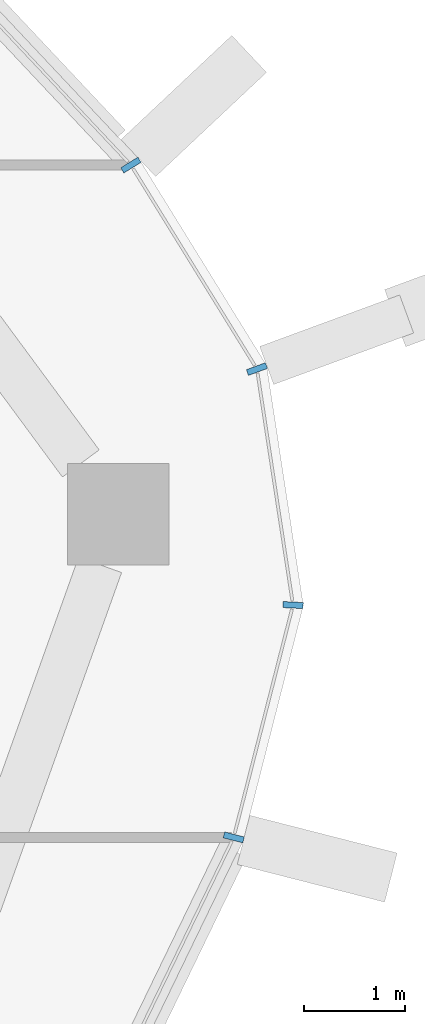
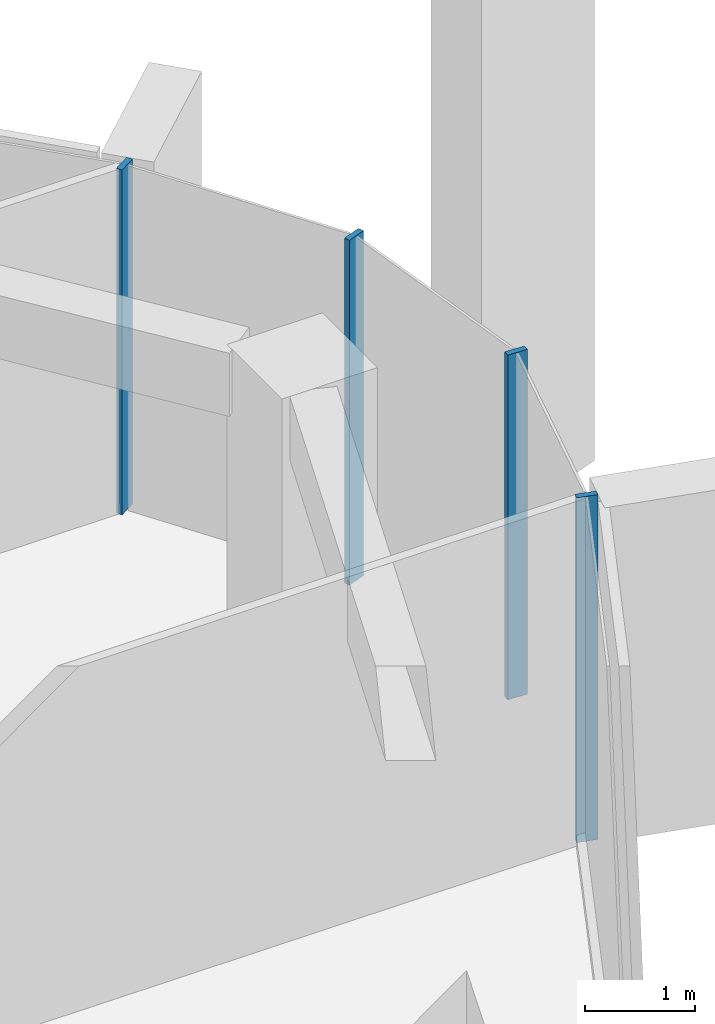
# One storey, part 10 of 24: 4 members, 1 element without a shape of its own.
"""IFC4 building model written with IfcOpenShell, lengths in metres."""

from ifc_helpers import new_model, si_unit, direction, frame, origin, origin_2d, place, context, subcontext, project, spatial, rectangle, extrude, material, layer, layer_set, material_profile, profile_set, type_object, element, aggregate, save


model = new_model("IFC4")

# Units and contexts
model_context = context("Model", 3, precision=1e-05, world=origin(), true_north=direction((0.0, 1.0)))
body_context = subcontext(model_context, "Body", "Model", "MODEL_VIEW")
ifc_project = project(units=[si_unit("LENGTHUNIT", "METRE"), si_unit("AREAUNIT", "SQUARE_METRE"), si_unit("VOLUMEUNIT", "CUBIC_METRE"), si_unit("PLANEANGLEUNIT", "RADIAN"), si_unit("MASSUNIT", "GRAM", prefix="KILO")], contexts=[model_context])

# Site, building, storey
site_placement = place(None, origin())
site = spatial("IfcSite", under=ifc_project, at=site_placement, CompositionType="ELEMENT")
building_placement = place(site_placement, origin())
building = spatial("IfcBuilding", under=site, at=building_placement, Name="Dongbaek Canopy Tower", CompositionType="ELEMENT")
storey_placement = place(building_placement, frame((0.0, 0.0, 294.199951171875)))
storey = spatial("IfcBuildingStorey", under=building, at=storey_placement, Name="L62", CompositionType="ELEMENT", Elevation=294.199951171875)

# Curtain wall, members
ifc_material_1 = material(Name="Aluminium 6063-T6 pale anodised", Category="aluminium")
ifc_layer = layer(ifc_material_1, 0.199951171875)
ifc_layer_set = layer_set([ifc_layer], Name="CW-1 unitised tower curtain wall")
curtain_wall_type = type_object("IfcCurtainWallType", Name="CW-1 unitised tower curtain wall", PredefinedType="NOTDEFINED", material=ifc_layer_set)
curtain_wall_placement = place(storey_placement, origin())
curtain_wall = element("IfcCurtainWall", 1, at=curtain_wall_placement, inside=storey, type_object=curtain_wall_type, Name="CW-1 curtain wall K0.1", PredefinedType="NOTDEFINED")
ifc_material_2 = material(Name="Aluminium 6063-T6 pale anodised", Category="aluminium")
ifc_material_profile = material_profile(ifc_material_2, rectangle(XDim=0.199951171875, YDim=0.06005859375, at=origin_2d()), Name="CW-1 mullion 60 x 200")
ifc_profile_set = profile_set([ifc_material_profile], Name="Aluminium 6063-T6 pale anodised")
member_type = type_object("IfcMemberType", Name="CW-1 mullion 60 x 200", PredefinedType="MULLION", material=ifc_profile_set)
member_1_placement = place(storey_placement, frame((31.943359375, 3.51123046875, 0.0), z_axis=(0.0, 0.0, 1.0), x_axis=(0.968887047372, -0.247503311967, 0.0)))
member_1 = element("IfcMember", 2, at=member_1_placement, type_object=member_type, Name="CW-1 mullion K0.1.1", PredefinedType="MULLION", context=body_context, shape_type="SweptSolid", body=[
    extrude(rectangle(XDim=0.199951171875, YDim=0.06005859375, at=origin_2d()), origin(), (0.0, 0.0, 1.0), 3.820068359375),
])
member_2_placement = place(storey_placement, frame((32.528564453125, 5.8017578125, 0.0), z_axis=(0.0, 0.0, 1.0), x_axis=(0.99878954122, -0.049187928895, 0.0)))
member_2 = element("IfcMember", 3, at=member_2_placement, type_object=member_type, Name="CW-1 mullion K0.1.2", PredefinedType="MULLION", context=body_context, shape_type="SweptSolid", body=[
    extrude(rectangle(XDim=0.199951171875, YDim=0.06005859375, at=origin_2d()), origin(), (0.0, 0.0, 1.0), 3.820068359375),
])
member_3_placement = place(storey_placement, frame((32.1728515625, 8.12841796875, 0.0), z_axis=(0.0, 0.0, 1.0), x_axis=(0.938484314321, 0.34532186692, 0.0)))
member_3 = element("IfcMember", 4, at=member_3_placement, type_object=member_type, Name="CW-1 mullion K0.1.3", PredefinedType="MULLION", context=body_context, shape_type="SweptSolid", body=[
    extrude(rectangle(XDim=0.199951171875, YDim=0.06005859375, at=origin_2d()), origin(), (0.0, 0.0, 1.0), 3.820068359375),
])
member_4_placement = place(storey_placement, frame((30.93017578125, 10.1396484375, 0.0), z_axis=(0.0, 0.0, 1.0), x_axis=(0.850702259789, 0.525647852836, 0.0)))
member_4 = element("IfcMember", 5, at=member_4_placement, type_object=member_type, Name="CW-1 mullion K0.1.4", PredefinedType="MULLION", context=body_context, shape_type="SweptSolid", body=[
    extrude(rectangle(XDim=0.199951171875, YDim=0.06005859375, at=origin_2d()), origin(), (0.0, 0.0, 1.0), 3.820068359375),
])
aggregate(curtain_wall, [member_1, member_2, member_3, member_4])

save(model, "model.ifc")
